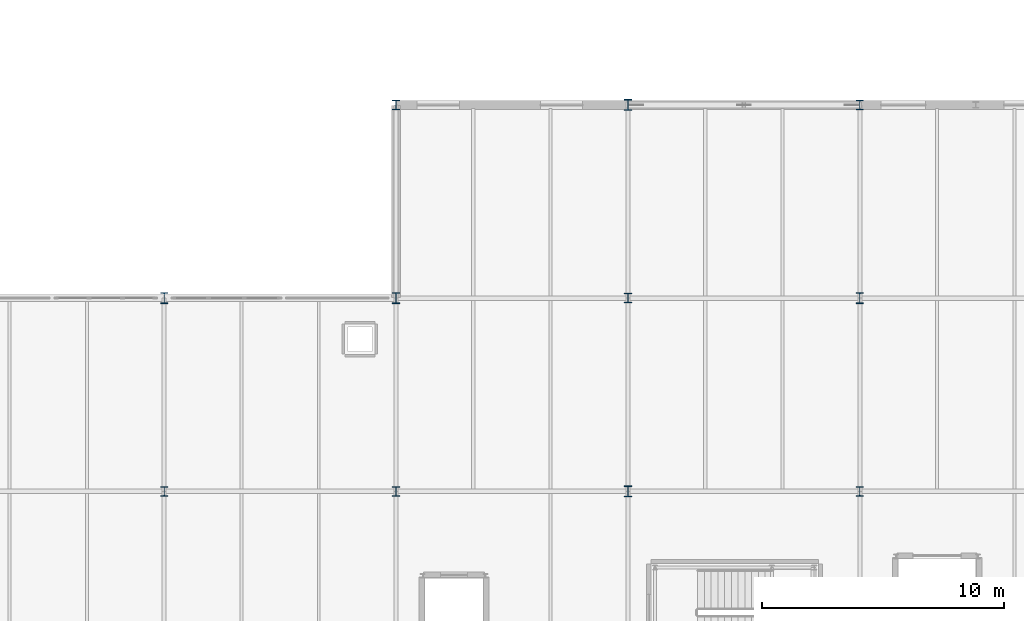
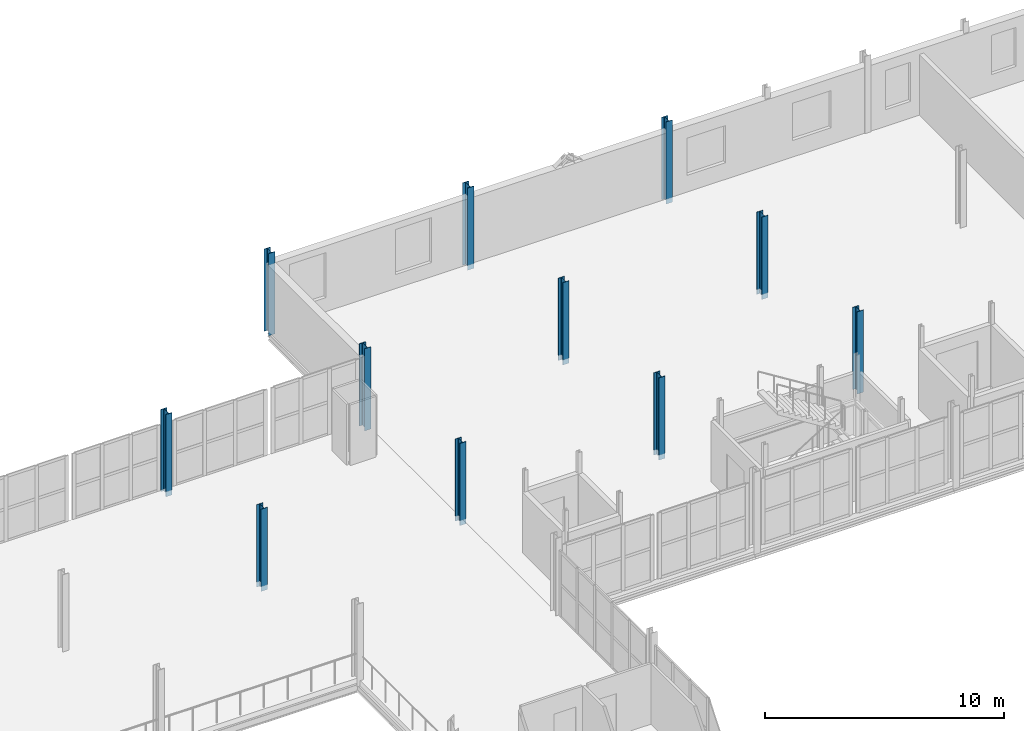
# One storey, part 19 of 85: 11 columns.
"""IFC4 building model written with IfcOpenShell, lengths in metres."""

from ifc_helpers import new_model, si_unit, direction, frame, origin, origin_2d, place, context, subcontext, project, spatial, i_section, extrude, material, material_profile, profile_set, type_object, element, save


model = new_model("IFC4")

# Units and contexts
model_context = context("Model", 3, precision=1e-05, world=origin(), true_north=direction((0.0, 1.0)))
body_context = subcontext(model_context, "Body", "Model", "MODEL_VIEW")
ifc_project = project(units=[si_unit("LENGTHUNIT", "METRE"), si_unit("AREAUNIT", "SQUARE_METRE"), si_unit("VOLUMEUNIT", "CUBIC_METRE"), si_unit("PLANEANGLEUNIT", "RADIAN"), si_unit("MASSUNIT", "GRAM", prefix="KILO")], contexts=[model_context])

# Site, building, storey
site_placement = place(None, origin())
site = spatial("IfcSite", under=ifc_project, at=site_placement, CompositionType="ELEMENT")
building_placement = place(site_placement, origin())
building = spatial("IfcBuilding", under=site, at=building_placement, Name="Alderhovde Museum", CompositionType="ELEMENT")
storey_placement = place(building_placement, frame((0.0, 0.0, 8.699951171875)))
storey = spatial("IfcBuildingStorey", under=building, at=storey_placement, Name="L02", CompositionType="ELEMENT", Elevation=8.699951171875)

# Columns
ifc_material_1 = material(Name="Steel S355J2", Category="steel")
ifc_material_profile_1 = material_profile(ifc_material_1, i_section(OverallWidth=0.300048828125, OverallDepth=0.39990234375, WebThickness=0.013427734375, FlangeThickness=0.02392578125, FilletRadius=0.027099609375, at=origin_2d()), Name="HEB 400")
ifc_profile_set_1 = profile_set([ifc_material_profile_1], Name="Steel S355J2")
column_type_1 = type_object("IfcColumnType", Name="COL-HEB400", PredefinedType="COLUMN", material=ifc_profile_set_1)
for number, where, z_axis, x_axis, name in (
    (1, (105.60009765625, 80.0, -0.260009765625), (0.0, 0.0, 1.0), (1.0, 0.0, 0.0), "L02 Column (105.6, 80.0)"),
    (2, (115.199951171875, 80.0, -0.260009765625), (0.0, 0.0, 1.0), (1.0, 0.0, 0.0), "L02 Column (115.2, 80.0)"),
    (3, (115.199951171875, 96.0, -0.260009765625), (0.0, 0.0, 1.0), (1.0, 0.0, 0.0), "L02 Column (115.2, 96.0)"),
    (4, (124.800048828125, 88.0, -0.260009765625), (0.0, 0.0, 1.0), (1.0, 0.0, 0.0), "L02 Column (124.8, 88.0)"),
    (5, (134.39990234375, 80.0, -0.260009765625), (0.0, 0.0, 1.0), (1.0, 0.0, 0.0), "L02 Column (134.4, 80.0)"),
    (6, (134.39990234375, 96.0, -0.260009765625), (0.0, 0.0, 1.0), (1.0, 0.0, 0.0), "L02 Column (134.4, 96.0)"),
):
    element("IfcColumn", number, at=place(storey_placement, frame(where, z_axis=z_axis, x_axis=x_axis)), inside=storey, type_object=column_type_1, Name=name, PredefinedType="COLUMN", context=body_context, shape_type="SweptSolid", body=[
        extrude(i_section(OverallWidth=0.300048828125, OverallDepth=0.39990234375, WebThickness=0.013427734375, FlangeThickness=0.02392578125, FilletRadius=0.027099609375, at=origin_2d()), origin(), (0.0, 0.0, 1.0), 4.199951171875),
    ])
ifc_material_2 = material(Name="Steel S355J2", Category="steel")
ifc_material_profile_2 = material_profile(ifc_material_2, i_section(OverallWidth=0.300048828125, OverallDepth=0.449951171875, WebThickness=0.013916015625, FlangeThickness=0.02587890625, FilletRadius=0.027099609375, at=origin_2d()), Name="HEB 450")
ifc_profile_set_2 = profile_set([ifc_material_profile_2], Name="Steel S355J2")
column_type_2 = type_object("IfcColumnType", Name="COL-HEB450", PredefinedType="COLUMN", material=ifc_profile_set_2)
for number, where, z_axis, x_axis, name in (
    (7, (105.60009765625, 88.0, -0.260009765625), (0.0, 0.0, 1.0), (1.0, 0.0, 0.0), "L02 Column (105.6, 88.0)"),
    (8, (115.199951171875, 88.0, -0.260009765625), (0.0, 0.0, 1.0), (1.0, 0.0, 0.0), "L02 Column (115.2, 88.0)"),
    (9, (124.800048828125, 80.0, -0.260009765625), (0.0, 0.0, 1.0), (1.0, 0.0, 0.0), "L02 Column (124.8, 80.0)"),
    (10, (124.800048828125, 96.0, -0.260009765625), (0.0, 0.0, 1.0), (1.0, 0.0, 0.0), "L02 Column (124.8, 96.0)"),
    (11, (134.39990234375, 88.0, -0.260009765625), (0.0, 0.0, 1.0), (1.0, 0.0, 0.0), "L02 Column (134.4, 88.0)"),
):
    element("IfcColumn", number, at=place(storey_placement, frame(where, z_axis=z_axis, x_axis=x_axis)), inside=storey, type_object=column_type_2, Name=name, PredefinedType="COLUMN", context=body_context, shape_type="SweptSolid", body=[
        extrude(i_section(OverallWidth=0.300048828125, OverallDepth=0.449951171875, WebThickness=0.013916015625, FlangeThickness=0.02587890625, FilletRadius=0.027099609375, at=origin_2d()), origin(), (0.0, 0.0, 1.0), 4.199951171875),
    ])

save(model, "model.ifc")
